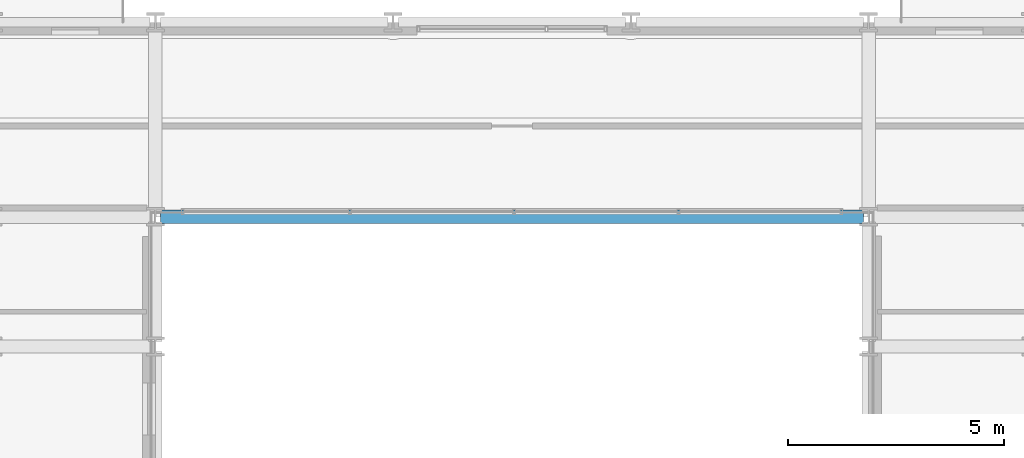
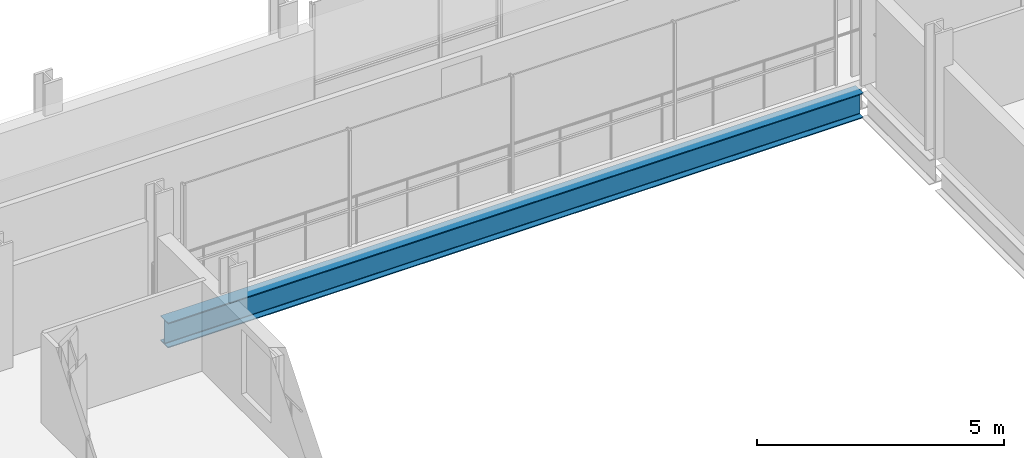
# One storey, part 10 of 41: 1 beam.
"""IFC4 building model written with IfcOpenShell, lengths in metres."""

from ifc_helpers import new_model, si_unit, direction, frame, origin, origin_2d, place, context, subcontext, project, spatial, i_section, extrude, material, material_profile, profile_set, type_object, element, save


model = new_model("IFC4")

# Units and contexts
model_context = context("Model", 3, precision=1e-05, world=origin(), true_north=direction((0.0, 1.0)))
body_context = subcontext(model_context, "Body", "Model", "MODEL_VIEW")
ifc_project = project(units=[si_unit("LENGTHUNIT", "METRE"), si_unit("AREAUNIT", "SQUARE_METRE"), si_unit("VOLUMEUNIT", "CUBIC_METRE"), si_unit("PLANEANGLEUNIT", "RADIAN"), si_unit("MASSUNIT", "GRAM", prefix="KILO")], contexts=[model_context])

# Site, building, storey
site_placement = place(None, origin())
site = spatial("IfcSite", under=ifc_project, at=site_placement, CompositionType="ELEMENT")
building_placement = place(site_placement, origin())
building = spatial("IfcBuilding", under=site, at=building_placement, Name="Brevholm Reach", CompositionType="ELEMENT")
storey_placement = place(building_placement, frame((0.0, 0.0, 86.89990234375)))
storey = spatial("IfcBuildingStorey", under=building, at=storey_placement, Name="L25", CompositionType="ELEMENT", Elevation=86.89990234375)

# Beam
ifc_material = material(Name="Structural Steel S355J2", Category="steel")
ifc_material_profile = material_profile(ifc_material, i_section(OverallWidth=0.30712890625, OverallDepth=0.6201171875, WebThickness=0.01416015625, FlangeThickness=0.023681640625, FilletRadius=0.0166015625, at=origin_2d()), Name="UKB 610x305x179")
ifc_profile_set = profile_set([ifc_material_profile], Name="Structural Steel S355J2")
beam_type = type_object("IfcBeamType", Name="BM-UKB610H", PredefinedType="USERDEFINED", material=ifc_profile_set)
beam_placement = place(storey_placement, frame((21.8701171875, 26.5, -0.5400390625), z_axis=(1.0, 0.0, 0.0), x_axis=(0.0, 1.0, 0.0)))
element("IfcBeam", 1, at=beam_placement, inside=storey, type_object=beam_type, Name="L25 G-06 Framing Beam", ObjectType="GIRDER", PredefinedType="USERDEFINED", context=body_context, shape_type="SweptSolid", body=[
    extrude(i_section(OverallWidth=0.30712890625, OverallDepth=0.6201171875, WebThickness=0.01416015625, FlangeThickness=0.023681640625, FilletRadius=0.0166015625, at=origin_2d()), origin(), (0.0, 0.0, 1.0), 16.259765625),
])

save(model, "model.ifc")
